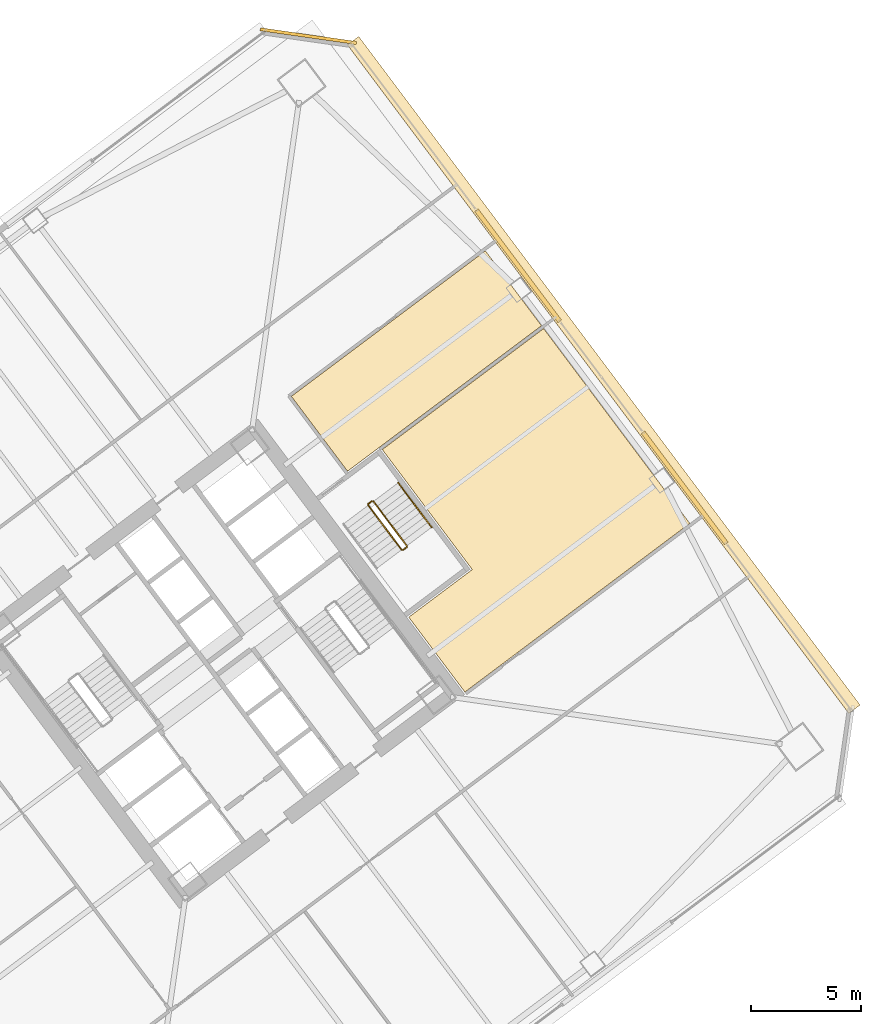
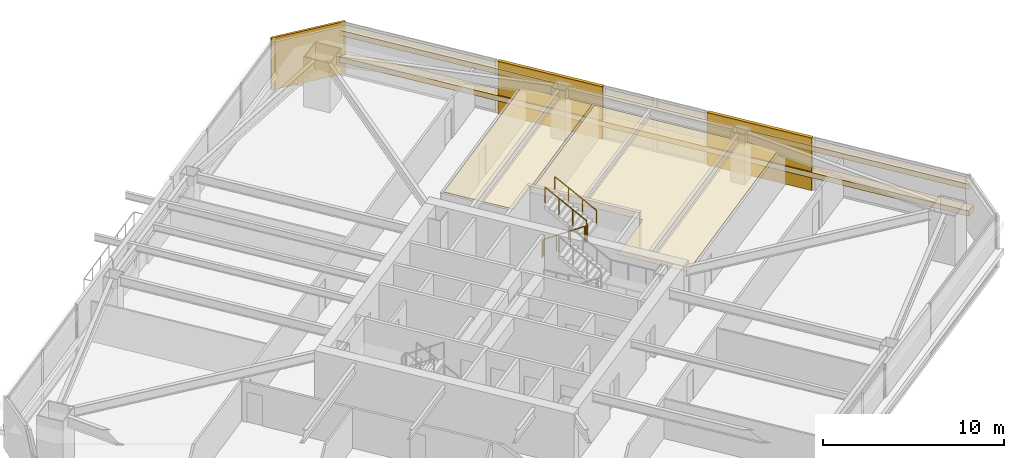
# One storey, part 45 of 45: 7 coverings, 5 railings.
"""IFC4 building model written with IfcOpenShell, lengths in metres."""

from ifc_helpers import new_model, si_unit, direction, frame, origin, origin_2d, place, context, subcontext, project, spatial, polyline, rectangle, outline, extrude, material, layer, layer_set, type_object, element, save


model = new_model("IFC4")

# Units and contexts
model_context = context("Model", 3, precision=1e-05, world=origin(), true_north=direction((0.0, 1.0)))
body_context = subcontext(model_context, "Body", "Model", "MODEL_VIEW")
ifc_project = project(units=[si_unit("LENGTHUNIT", "METRE"), si_unit("AREAUNIT", "SQUARE_METRE"), si_unit("VOLUMEUNIT", "CUBIC_METRE"), si_unit("PLANEANGLEUNIT", "RADIAN"), si_unit("MASSUNIT", "GRAM", prefix="KILO")], contexts=[model_context])

# Site, building, storey
site_placement = place(None, origin())
site = spatial("IfcSite", under=ifc_project, at=site_placement, CompositionType="ELEMENT")
building_placement = place(site_placement, origin())
building = spatial("IfcBuilding", under=site, at=building_placement, Name="Tashvorn Skyway Center", CompositionType="ELEMENT")
storey_placement = place(building_placement, frame((0.0, 0.0, 35.25)))
storey = spatial("IfcBuildingStorey", under=building, at=storey_placement, Name="L08", CompositionType="ELEMENT", Elevation=35.25)

# Coverings
ifc_material_1 = material(Name="Precast concrete C40/50", Category="concrete")
ifc_layer_1 = layer(ifc_material_1, 0.199951171875)
ifc_layer_set_1 = layer_set([ifc_layer_1], Name="Precast concrete C40/50")
covering_type_1 = type_object("IfcCoveringType", Name="COV-BRACE-CLAD", PredefinedType="CLADDING", material=ifc_layer_set_1)
for number, where, z_axis, x_axis, name in (
    (1, (127.568115234375, 50.042724609375, 0.0), (0.0, 0.0, 1.0), (0.600000004945, -0.799999996291, 0.0), "Tower 2 L08 East Unitised Curtain Wall Mega-Brace Cladding Band 1"),
    (2, (135.1201171875, 39.973388671875, 0.0), (0.0, 0.0, 1.0), (0.600000004945, -0.799999996291, 0.0), "Tower 2 L08 East Unitised Curtain Wall Mega-Brace Cladding Band 2"),
):
    element("IfcCovering", number, at=place(storey_placement, frame(where, z_axis=z_axis, x_axis=x_axis)), inside=storey, type_object=covering_type_1, Name=name, PredefinedType="CLADDING", context=body_context, shape_type="SweptSolid", body=[
        extrude(rectangle(XDim=6.29345703125, YDim=0.199951171875, at=origin_2d()), origin(), (0.0, 0.0, 1.0), 3.550048828125),
    ])
ifc_material_2 = material(Name="Mineral-fibre acoustic ceiling tile on suspended grid")
ifc_layer_2 = layer(ifc_material_2, 0.02001953125)
ifc_layer_set_2 = layer_set([ifc_layer_2], Name="Mineral-fibre acoustic ceiling tile on suspended grid")
covering_type_2 = type_object("IfcCoveringType", Name="COV-CEIL-20", PredefinedType="CEILING", material=ifc_layer_set_2)
covering_1_placement = place(storey_placement, frame((0.0, 0.0, 2.68310546875)))
element("IfcCovering", 3, at=covering_1_placement, inside=storey, type_object=covering_type_2, Name="Tower 2 L08 Executive Study Lounge Acoustic Ceiling", PredefinedType="CEILING", context=body_context, shape_type="SweptSolid", body=[
    extrude(outline(polyline([(119.840087890625, 40.72998046875), (117.2958984375, 44.1220703125), (126.087890625, 50.716064453125), (128.632080078125, 47.323974609375), (119.840087890625, 40.72998046875)])), origin(), (0.0, 0.0, 1.0), 0.019775390625),
])
covering_2_placement = place(storey_placement, frame((0.0, 0.0, 2.68310546875)))
element("IfcCovering", 4, at=covering_2_placement, inside=storey, type_object=covering_type_2, Name="Tower 2 L08 Public Restroom Acoustic Ceiling", PredefinedType="CEILING", context=body_context, shape_type="SweptSolid", body=[
    extrude(outline(polyline([(125.159912109375, 30.719970703125), (122.615966796875, 34.112060546875), (125.49609375, 36.27197265625), (121.416015625, 41.7119140625), (128.72802734375, 47.196044921875), (132.80810546875, 41.756103515625), (135.35205078125, 38.364013671875), (125.159912109375, 30.719970703125)])), origin(), (0.0, 0.0, 1.0), 0.019775390625),
])
ifc_material_3 = material(Name="Perforated ceramic-coated bronze aluminium solar screen", Category="aluminium")
ifc_layer_3 = layer(ifc_material_3, 0.85009765625)
ifc_layer_set_3 = layer_set([ifc_layer_3], Name="Perforated ceramic-coated bronze aluminium solar screen")
covering_type_3 = type_object("IfcCoveringType", Name="COV-SOLAR-BAND", PredefinedType="CLADDING", material=ifc_layer_set_3)
for number, where, z_axis, x_axis, name in (
    (5, (131.4560546875, 45.092041015625, 0.919921875), (0.0, 0.0, 1.0), (0.600000004945, -0.799999996291, 0.0), "L08 Perforated Ceramic-Metal Solar Screen Louvre Band East 1"),
    (6, (131.4560546875, 45.092041015625, 2.7197265625), (0.0, 0.0, 1.0), (0.600000004945, -0.799999996291, 0.0), "L08 Perforated Ceramic-Metal Solar Screen Louvre Band East 2"),
):
    element("IfcCovering", number, at=place(storey_placement, frame(where, z_axis=z_axis, x_axis=x_axis)), inside=storey, type_object=covering_type_3, Name=name, PredefinedType="CLADDING", context=body_context, shape_type="SweptSolid", body=[
        extrude(rectangle(XDim=37.8798828125, YDim=0.639892578125, at=origin_2d()), origin(), (0.0, 0.0, 1.0), 0.360107421875),
    ])
ifc_layer_4 = layer(ifc_material_1, 0.35009765625)
ifc_layer_set_4 = layer_set([ifc_layer_4], Name="Precast concrete C40/50")
covering_type_4 = type_object("IfcCoveringType", Name="COV-STONE-TRIM", PredefinedType="CLADDING", material=ifc_layer_set_4)
covering_3_placement = place(storey_placement, frame((118.06396484375, 60.447998046875, 0.02001953125), z_axis=(0.0, 0.0, 1.0), x_axis=(0.989949494535, -0.141421350118, 0.0)))
element("IfcCovering", 7, at=covering_3_placement, inside=storey, type_object=covering_type_4, Name="Tower 2 L08 NE Mojave Limestone Corner Quoin", PredefinedType="CLADDING", context=body_context, shape_type="SweptSolid", body=[
    extrude(rectangle(XDim=4.402587890625, YDim=0.139892578125, at=origin_2d()), origin(), (0.0, 0.0, 1.0), 3.510009765625),
])

# Railings
ifc_material_4 = material(Name="Brushed stainless steel 316", Category="steel")
railing_type_1 = type_object("IfcRailingType", Name="RAIL-HAND-920", PredefinedType="HANDRAIL", material=ifc_material_4)
railing_1_placement = place(storey_placement, frame((123.64794921875, 38.18603515625, 1.952392578125)))
element("IfcRailing", 8, at=railing_1_placement, inside=storey, type_object=railing_type_1, Name="L08 ST-T2-3 stair handrail 2", PredefinedType="HANDRAIL", context=body_context, shape_type="SweptSolid", body=[
    extrude(rectangle(XDim=0.048095703125, YDim=0.048095703125, at=origin_2d()), frame((0.0, 0.0, 0.8759765625), z_axis=(-0.50674661542, 0.675634878657, 0.535467439255), x_axis=(-0.79998837352, -0.60001550166, 0.0)), (0.0, 0.0, 1.0), 2.983642578125),
    extrude(rectangle(XDim=0.0419921875, YDim=0.0419921875, at=origin_2d()), origin(), (0.0, 0.0, 1.0), 0.851806640625),
    extrude(rectangle(XDim=0.0419921875, YDim=0.0419921875, at=origin_2d()), frame((-0.50390625, 0.671875, 0.532470703125)), (0.0, 0.0, 1.0), 0.851806640625),
    extrude(rectangle(XDim=0.0419921875, YDim=0.0419921875, at=origin_2d()), frame((-1.008056640625, 1.343994140625, 1.065185546875)), (0.0, 0.0, 1.0), 0.851806640625),
    extrude(rectangle(XDim=0.0419921875, YDim=0.0419921875, at=origin_2d()), frame((-1.511962890625, 2.015869140625, 1.59765625)), (0.0, 0.0, 1.0), 0.851806640625),
])
ifc_material_5 = material(Name="Painted galvanized steel S355", Category="steel")
railing_type_2 = type_object("IfcRailingType", Name="RAIL-STGUARD-1100", PredefinedType="GUARDRAIL", material=ifc_material_5)
railing_2_placement = place(storey_placement, frame((120.77587890625, 39.181884765625, 0.177490234375)))
element("IfcRailing", 9, at=railing_2_placement, inside=storey, type_object=railing_type_2, Name="L08 ST-T2-3 stair guard 1", PredefinedType="GUARDRAIL", context=body_context, shape_type="SweptSolid", body=[
    extrude(rectangle(XDim=0.048095703125, YDim=0.048095703125, at=origin_2d()), frame((0.0, 0.0, 1.076171875), z_axis=(0.506829628838, -0.67563646195, 0.535386868177), x_axis=(0.799941867976, 0.600077501544, 0.0)), (0.0, 0.0, 1.0), 2.983642578125),
    extrude(rectangle(XDim=0.0419921875, YDim=0.0419921875, at=origin_2d()), origin(), (0.0, 0.0, 1.0), 1.052001953125),
    extrude(rectangle(XDim=0.0419921875, YDim=0.0419921875, at=origin_2d()), frame((0.504150390625, -0.671875, 0.532470703125)), (0.0, 0.0, 1.0), 1.052001953125),
    extrude(rectangle(XDim=0.0419921875, YDim=0.0419921875, at=origin_2d()), frame((1.008056640625, -1.343994140625, 1.06494140625)), (0.0, 0.0, 1.0), 1.052001953125),
    extrude(rectangle(XDim=0.0419921875, YDim=0.0419921875, at=origin_2d()), frame((1.51220703125, -2.015869140625, 1.597412109375)), (0.0, 0.0, 1.0), 1.052001953125),
])
railing_3_placement = place(storey_placement, frame((122.35791015625, 37.156005859375, 1.77490234375)))
element("IfcRailing", 10, at=railing_3_placement, inside=storey, type_object=railing_type_2, Name="L08 ST-T2-3 stair guard 2", PredefinedType="GUARDRAIL", context=body_context, shape_type="SweptSolid", body=[
    extrude(rectangle(XDim=0.048095703125, YDim=0.048095703125, at=origin_2d()), frame((0.0, 0.0, 1.076171875), z_axis=(0.800585412921, 0.599218655098, 0.0), x_axis=(-0.599218655098, 0.800585412921, 0.0)), (0.0, 0.0, 1.0), 0.199951171875),
    extrude(rectangle(XDim=0.0419921875, YDim=0.0419921875, at=origin_2d()), origin(), (0.0, 0.0, 1.0), 1.052001953125),
    extrude(rectangle(XDim=0.0419921875, YDim=0.0419921875, at=origin_2d()), frame((0.16015625, 0.119873046875, 0.0)), (0.0, 0.0, 1.0), 1.052001953125),
])
railing_4_placement = place(storey_placement, frame((122.528076171875, 37.345947265625, 1.952392578125)))
element("IfcRailing", 11, at=railing_4_placement, inside=storey, type_object=railing_type_2, Name="L08 ST-T2-3 stair guard 3", PredefinedType="GUARDRAIL", context=body_context, shape_type="SweptSolid", body=[
    extrude(rectangle(XDim=0.048095703125, YDim=0.048095703125, at=origin_2d()), frame((0.0, 0.0, 1.076171875), z_axis=(-0.506718600913, 0.675679348675, 0.535437836974), x_axis=(-0.800023250257, -0.599968998406, 0.0)), (0.0, 0.0, 1.0), 2.98388671875),
    extrude(rectangle(XDim=0.0419921875, YDim=0.0419921875, at=origin_2d()), origin(), (0.0, 0.0, 1.0), 1.052001953125),
    extrude(rectangle(XDim=0.0419921875, YDim=0.0419921875, at=origin_2d()), frame((-0.50390625, 0.672119140625, 0.532470703125)), (0.0, 0.0, 1.0), 1.052001953125),
    extrude(rectangle(XDim=0.0419921875, YDim=0.0419921875, at=origin_2d()), frame((-1.008056640625, 1.343994140625, 1.065185546875)), (0.0, 0.0, 1.0), 1.052001953125),
    extrude(rectangle(XDim=0.0419921875, YDim=0.0419921875, at=origin_2d()), frame((-1.511962890625, 2.01611328125, 1.59765625)), (0.0, 0.0, 1.0), 1.052001953125),
])
railing_5_placement = place(storey_placement, frame((120.785888671875, 39.251953125, 0.0)))
element("IfcRailing", 12, at=railing_5_placement, inside=storey, type_object=railing_type_2, Name="L08 ST-T2-3 stair guard 4", PredefinedType="GUARDRAIL", context=body_context, shape_type="SweptSolid", body=[
    extrude(rectangle(XDim=0.048095703125, YDim=0.048095703125, at=origin_2d()), frame((0.0, 0.0, 1.076171875), z_axis=(0.8, 0.6, 0.0), x_axis=(-0.6, 0.8, 0.0)), (0.0, 0.0, 1.0), 0.2001953125),
    extrude(rectangle(XDim=0.0419921875, YDim=0.0419921875, at=origin_2d()), origin(), (0.0, 0.0, 1.0), 1.052001953125),
    extrude(rectangle(XDim=0.0419921875, YDim=0.0419921875, at=origin_2d()), frame((0.16015625, 0.1201171875, 0.0)), (0.0, 0.0, 1.0), 1.052001953125),
])

save(model, "model.ifc")
